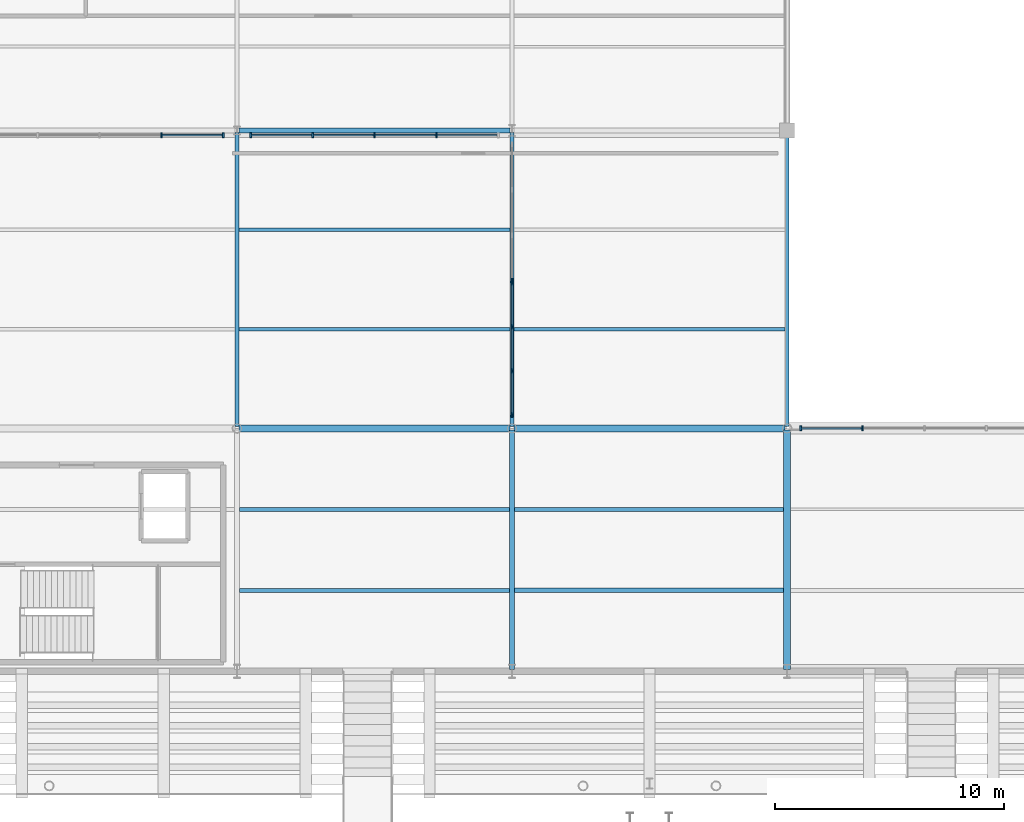
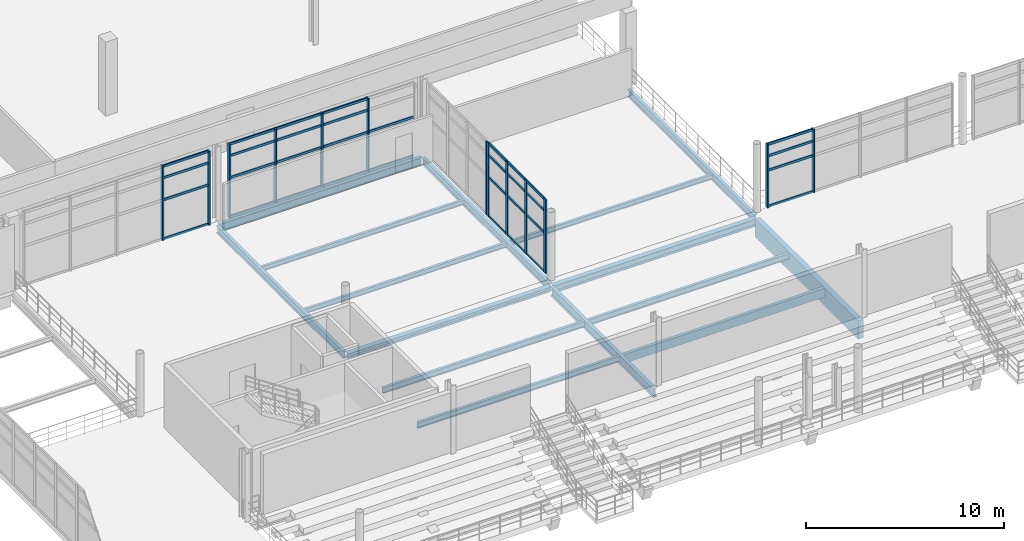
# One storey, part 38 of 89: 47 members, 15 beams, 5 elements without a shape of their own.
"""IFC4 building model written with IfcOpenShell, lengths in metres."""

import ifcopenshell
import ifcopenshell.guid

model = None  # the IFC model being written
_history = None  # IfcOwnerHistory: only IFC2X3 demands one
_inside = {}  # id of a spatial element -> (the spatial element, [elements in it])
_under = {}  # id of a project, library or spatial element -> (it, [spatial elements below it])
_declared = {}  # id of a project -> (the project, [libraries it declares])
_typed = {}  # id of a type object -> (the type object, [elements of that type])
_made_of = {}  # id of a material, layer set ... -> (it, [elements and type objects made of it])


def new_model(schema):
    """Start an empty IFC model of exactly this schema.

    Asked for "IFC4X3", IfcOpenShell would pick the latest addendum, in which some entities
    have other attributes; the version numbers below select the first issue.
    IFC2X3 requires an IfcOwnerHistory on every rooted entity: one is made here for all.
    """
    global model, _history
    if schema == "IFC4X3":
        model = ifcopenshell.file(schema_version=(4, 3, 0, 0))
    else:
        model = ifcopenshell.file(schema=schema)
    _inside.clear()
    _under.clear()
    _declared.clear()
    _typed.clear()
    _made_of.clear()
    _history = None
    if model.schema == "IFC2X3":
        org = make("IfcOrganization", Name="unknown")
        user = make(
            "IfcPersonAndOrganization",
            ThePerson=make("IfcPerson", FamilyName="unknown"),
            TheOrganization=org,
        )
        app = make(
            "IfcApplication",
            ApplicationDeveloper=org,
            Version="unknown",
            ApplicationFullName="unknown",
            ApplicationIdentifier="unknown",
        )
        _history = make(
            "IfcOwnerHistory",
            OwningUser=user,
            OwningApplication=app,
            ChangeAction="ADDED",
            CreationDate=0,
        )
    return model


def make(cls, **values):
    """One entity of the class cls with the attributes given. An attribute that is None is left unset."""
    return model.create_entity(
        cls, **{name: value for name, value in values.items() if value is not None}
    )


def rooted(cls, **values):
    """An entity with a GlobalId (a new one), such as an element, a storey or a relation."""
    return make(cls, GlobalId=ifcopenshell.guid.new(), OwnerHistory=_history, **values)


def si_unit(unit_type, name, prefix=None):
    """IfcSIUnit, for example si_unit("LENGTHUNIT", "METRE", prefix="MILLI")."""
    return make("IfcSIUnit", UnitType=unit_type, Prefix=prefix, Name=name)


def assignment(units):
    """IfcUnitAssignment: the units of a project."""
    return None if units is None else make("IfcUnitAssignment", Units=units)


def point(xyz):
    """IfcCartesianPoint."""
    return None if xyz is None else make("IfcCartesianPoint", Coordinates=xyz)


def direction(xyz):
    """IfcDirection."""
    return None if xyz is None else make("IfcDirection", DirectionRatios=xyz)


def frame(location, z_axis=None, x_axis=None):
    """IfcAxis2Placement3D, a coordinate frame: its origin and axes. An axis left out is left unset."""
    return make(
        "IfcAxis2Placement3D",
        Location=point(location),
        Axis=direction(z_axis),
        RefDirection=direction(x_axis),
    )


def frame_2d(location, x_axis=None):
    """IfcAxis2Placement2D, a coordinate frame in the plane: its origin and x axis."""
    return make(
        "IfcAxis2Placement2D", Location=point(location), RefDirection=direction(x_axis)
    )


def origin():
    """The frame at (0, 0, 0) with its axes left unset."""
    return frame((0.0, 0.0, 0.0))


def origin_2d():
    """The frame at (0, 0) in the plane with its x axis left unset."""
    return frame_2d((0.0, 0.0))


def place(relative_to, where):
    """IfcLocalPlacement: puts the frame where relative to a parent placement (None: the world)."""
    return make(
        "IfcLocalPlacement", PlacementRelTo=relative_to, RelativePlacement=where
    )


def context(
    kind, dimensions, precision=None, world=None, true_north=None, identifier=None
):
    """IfcGeometricRepresentationContext, for example the 3D "Model" context."""
    return make(
        "IfcGeometricRepresentationContext",
        ContextIdentifier=identifier,
        ContextType=kind,
        CoordinateSpaceDimension=dimensions,
        Precision=precision,
        WorldCoordinateSystem=world,
        TrueNorth=true_north,
    )


def subcontext(parent, identifier, kind, view, scale=None):
    """IfcGeometricRepresentationSubContext, for example "Body" below "Model"."""
    return make(
        "IfcGeometricRepresentationSubContext",
        ContextIdentifier=identifier,
        ContextType=kind,
        ParentContext=parent,
        TargetScale=scale,
        TargetView=view,
    )


def project(units=None, contexts=None):
    """IfcProject with its units and contexts."""
    return rooted(
        "IfcProject",
        Name="project",
        RepresentationContexts=contexts,
        UnitsInContext=assignment(units),
    )


def spatial(cls, under=None, at=None, **own):
    """A site, building, storey or space (cls), placed at a placement, below another one or the project."""
    s = rooted(cls, ObjectPlacement=at, **own)
    if under is not None:
        _under.setdefault(under.id(), (under, []))[1].append(s)
    return s


def profile(cls, at=None, kind="AREA", **sizes):
    """A parametric profile (cls). Its sizes go by their IFC names, for example OverallWidth=200.0."""
    return make(cls, ProfileType=kind, Position=at, **sizes)


def rectangle(**sizes):
    """IfcRectangleProfileDef."""
    return profile("IfcRectangleProfileDef", **sizes)


def i_section(**sizes):
    """IfcIShapeProfileDef."""
    return profile("IfcIShapeProfileDef", **sizes)


def extrude(swept, where, along, depth):
    """IfcExtrudedAreaSolid: the profile swept, set in the frame where, extruded along a direction by depth."""
    return make(
        "IfcExtrudedAreaSolid",
        SweptArea=swept,
        Position=where,
        ExtrudedDirection=direction(along),
        Depth=depth,
    )


def shape(context_of_items, identifier, shape_type, items):
    """IfcShapeRepresentation: the items that make up one representation, for example the "Body"."""
    return make(
        "IfcShapeRepresentation",
        ContextOfItems=context_of_items,
        RepresentationIdentifier=identifier,
        RepresentationType=shape_type,
        Items=items,
    )


def material(Name=None, Category=None):
    """IfcMaterial."""
    return make("IfcMaterial", Name=Name, Category=Category)


def material_profile(
    of_material, cross_section, Name=None, Category=None, Priority=None
):
    """IfcMaterialProfile: a cross section and its material."""
    return make(
        "IfcMaterialProfile",
        Name=Name,
        Material=of_material,
        Profile=cross_section,
        Priority=Priority,
        Category=Category,
    )


def profile_set(profiles, Name=None, composite=None):
    """IfcMaterialProfileSet."""
    return make(
        "IfcMaterialProfileSet",
        Name=Name,
        MaterialProfiles=profiles,
        CompositeProfile=composite,
    )


def made_of(thing, what):
    """Note that an element or type object is made of a material, layer set ...; save() writes the relation."""
    if what is not None:
        _made_of.setdefault(what.id(), (what, []))[1].append(thing)
    return thing


def type_object(cls, material=None, **own):
    """A type object (cls), such as IfcWallType, which elements share."""
    return made_of(rooted(cls, **own), material)


def element(
    cls,
    number,
    at=None,
    inside=None,
    cuts=None,
    type_object=None,
    material=None,
    context=None,
    identifier="Body",
    shape_type=None,
    held_by="IfcProductDefinitionShape",
    body=None,
    shapes=None,
    **own,
):
    """One element of the class cls, such as IfcWall. Its Tag is "e" and its number.

    at: its placement. inside: the storey or other place that contains it. cuts: it is an
    opening in that element (IfcRelVoidsElement). A single representation is given by context,
    identifier, shape_type and body (its items); several are given by shapes. held_by: the class
    of the entity that holds the representations. save() writes the other relations.
    """
    e = rooted(cls, Tag="e%d" % number, ObjectPlacement=at, **own)
    if body is not None:
        shapes = [shape(context, identifier, shape_type, body)]
    if shapes is not None:
        e.Representation = make(held_by, Representations=shapes)
    if inside is not None:
        _inside.setdefault(inside.id(), (inside, []))[1].append(e)
    if cuts is not None:
        rooted(
            "IfcRelVoidsElement", RelatingBuildingElement=cuts, RelatedOpeningElement=e
        )
    if type_object is not None:
        _typed.setdefault(type_object.id(), (type_object, []))[1].append(e)
    return made_of(e, material)


def aggregate(whole, parts):
    """IfcRelAggregates: a whole, such as a stair, and the parts it consists of."""
    return rooted("IfcRelAggregates", RelatingObject=whole, RelatedObjects=parts)


def save(model, path):
    """Write the relations noted so far, then the file.

    IfcRelAggregates (storeys below a building ...), IfcRelContainedInSpatialStructure (elements
    in a storey), IfcRelDefinesByType, IfcRelAssociatesMaterial and IfcRelDeclares: one each for
    every whole, place, type object, material and project.
    """
    for whole, parts in _under.values():
        aggregate(whole, parts)
    for where, things in _inside.values():
        rooted(
            "IfcRelContainedInSpatialStructure",
            RelatedElements=things,
            RelatingStructure=where,
        )
    for kind, things in _typed.values():
        rooted("IfcRelDefinesByType", RelatedObjects=things, RelatingType=kind)
    for what, things in _made_of.values():
        rooted("IfcRelAssociatesMaterial", RelatedObjects=things, RelatingMaterial=what)
    for by, libraries in _declared.values():
        rooted("IfcRelDeclares", RelatingContext=by, RelatedDefinitions=libraries)
    model.write(path)


model = new_model("IFC4")

# Units and contexts
model_context = context("Model", 3, precision=1e-05, world=origin(), true_north=direction((0.0, 1.0)))
body_context = subcontext(model_context, "Body", "Model", "MODEL_VIEW")
ifc_project = project(units=[si_unit("LENGTHUNIT", "METRE"), si_unit("AREAUNIT", "SQUARE_METRE"), si_unit("VOLUMEUNIT", "CUBIC_METRE"), si_unit("PLANEANGLEUNIT", "RADIAN"), si_unit("MASSUNIT", "GRAM", prefix="KILO"), si_unit("THERMODYNAMICTEMPERATUREUNIT", "KELVIN"), si_unit("POWERUNIT", "WATT")], contexts=[model_context])

# Site, building, storey
site_placement = place(None, origin())
site = spatial("IfcSite", under=ifc_project, at=site_placement, CompositionType="ELEMENT")
building_placement = place(site_placement, origin())
building = spatial("IfcBuilding", under=site, at=building_placement, Name="Solmara Park Aquatics Centre", CompositionType="ELEMENT")
storey_placement = place(building_placement, frame((0.0, 0.0, 5.39990234375)))
storey = spatial("IfcBuildingStorey", under=building, at=storey_placement, Name="L01", CompositionType="ELEMENT", Elevation=5.39990234375)

# Curtain wall, members
ifc_material_1 = material(Name="Anodised Aluminium Curtain Wall Framing", Category="aluminium")
curtain_wall_type = type_object("IfcCurtainWallType", Name="ARC-CW-SYS05", PredefinedType="USERDEFINED", material=ifc_material_1)
curtain_wall_1_placement = place(storey_placement, origin())
curtain_wall_1 = element("IfcCurtainWall", 1, at=curtain_wall_1_placement, inside=storey, type_object=curtain_wall_type, Name="Curtain Wall CW-022", ObjectType="CURTAIN WALL", PredefinedType="USERDEFINED")
ifc_material_2 = material(Name="Anodised Aluminium Alloy 6063-T6", Category="aluminium")
ifc_material_profile_1 = material_profile(ifc_material_2, rectangle(XDim=0.074951171875, YDim=0.219970703125, at=origin_2d()), Name="ALU MULLION 75x220")
ifc_profile_set_1 = profile_set([ifc_material_profile_1], Name="Anodised Aluminium Alloy 6063-T6")
member_type_1 = type_object("IfcMemberType", Name="ARC-CWM-75x220", PredefinedType="MULLION", material=ifc_profile_set_1)
member_1_placement = place(storey_placement, frame((61.199951171875, 72.60009765625, 0.0), z_axis=(0.0, 0.0, 1.0), x_axis=(1.0, 0.0, 0.0)))
member_1 = element("IfcMember", 2, at=member_1_placement, type_object=member_type_1, Name="CW-022 mullion 1", PredefinedType="MULLION", context=body_context, shape_type="SweptSolid", body=[
    extrude(rectangle(XDim=0.074951171875, YDim=0.219970703125, at=origin_2d()), origin(), (0.0, 0.0, 1.0), 3.900146484375),
])
member_2_placement = place(storey_placement, frame((63.89990234375, 72.60009765625, 0.0), z_axis=(0.0, 0.0, 1.0), x_axis=(1.0, 0.0, 0.0)))
member_2 = element("IfcMember", 3, at=member_2_placement, type_object=member_type_1, Name="CW-022 mullion 2", PredefinedType="MULLION", context=body_context, shape_type="SweptSolid", body=[
    extrude(rectangle(XDim=0.074951171875, YDim=0.219970703125, at=origin_2d()), origin(), (0.0, 0.0, 1.0), 3.900146484375),
])

curtain_wall_2_placement = place(storey_placement, origin())
curtain_wall_2 = element("IfcCurtainWall", 4, at=curtain_wall_2_placement, inside=storey, type_object=curtain_wall_type, Name="Curtain Wall CW-098", ObjectType="CURTAIN WALL", PredefinedType="USERDEFINED")
member_3_placement = place(storey_placement, frame((48.60009765625, 73.199951171875, 0.0), z_axis=(0.0, 0.0, 1.0), x_axis=(1.0, 0.0, 0.0)))
member_3 = element("IfcMember", 5, at=member_3_placement, type_object=member_type_1, Name="CW-098 mullion 1", PredefinedType="MULLION", context=body_context, shape_type="SweptSolid", body=[
    extrude(rectangle(XDim=0.074951171875, YDim=0.219970703125, at=origin_2d()), origin(), (0.0, 0.0, 1.0), 4.56005859375),
])
member_4_placement = place(storey_placement, frame((48.60009765625, 75.1201171875, 0.0), z_axis=(0.0, 0.0, 1.0), x_axis=(1.0, 0.0, 0.0)))
member_4 = element("IfcMember", 6, at=member_4_placement, type_object=member_type_1, Name="CW-098 mullion 2", PredefinedType="MULLION", context=body_context, shape_type="SweptSolid", body=[
    extrude(rectangle(XDim=0.074951171875, YDim=0.219970703125, at=origin_2d()), origin(), (0.0, 0.0, 1.0), 4.56005859375),
])
member_5_placement = place(storey_placement, frame((48.60009765625, 77.0400390625, 0.0), z_axis=(0.0, 0.0, 1.0), x_axis=(1.0, 0.0, 0.0)))
member_5 = element("IfcMember", 7, at=member_5_placement, type_object=member_type_1, Name="CW-098 mullion 3", PredefinedType="MULLION", context=body_context, shape_type="SweptSolid", body=[
    extrude(rectangle(XDim=0.074951171875, YDim=0.219970703125, at=origin_2d()), origin(), (0.0, 0.0, 1.0), 4.56005859375),
])
member_6_placement = place(storey_placement, frame((48.60009765625, 78.9599609375, 0.0), z_axis=(0.0, 0.0, 1.0), x_axis=(1.0, 0.0, 0.0)))
member_6 = element("IfcMember", 8, at=member_6_placement, type_object=member_type_1, Name="CW-098 mullion 4", PredefinedType="MULLION", context=body_context, shape_type="SweptSolid", body=[
    extrude(rectangle(XDim=0.074951171875, YDim=0.219970703125, at=origin_2d()), origin(), (0.0, 0.0, 1.0), 4.56005859375),
])

# Curtain wall, member
curtain_wall_3_placement = place(storey_placement, origin())
curtain_wall_3 = element("IfcCurtainWall", 9, at=curtain_wall_3_placement, inside=storey, type_object=curtain_wall_type, Name="Curtain Wall CW-102", ObjectType="CURTAIN WALL", PredefinedType="USERDEFINED")
member_7_placement = place(storey_placement, frame((48.60009765625, 79.0400390625, 0.0), z_axis=(0.0, 0.0, 1.0), x_axis=(1.0, 0.0, 0.0)))
member_7 = element("IfcMember", 10, at=member_7_placement, type_object=member_type_1, Name="CW-102 mullion 1", PredefinedType="MULLION", context=body_context, shape_type="SweptSolid", body=[
    extrude(rectangle(XDim=0.074951171875, YDim=0.219970703125, at=origin_2d()), origin(), (0.0, 0.0, 1.0), 4.56005859375),
])
aggregate(curtain_wall_3, [member_7])

# Curtain wall, members
curtain_wall_4_placement = place(storey_placement, origin())
curtain_wall_4 = element("IfcCurtainWall", 11, at=curtain_wall_4_placement, inside=storey, type_object=curtain_wall_type, Name="Curtain Wall CW-105", ObjectType="CURTAIN WALL", PredefinedType="USERDEFINED")
member_8_placement = place(storey_placement, frame((33.300048828125, 85.39990234375, 0.0), z_axis=(0.0, 0.0, 1.0), x_axis=(1.0, 0.0, 0.0)))
member_8 = element("IfcMember", 12, at=member_8_placement, type_object=member_type_1, Name="CW-105 mullion 4", PredefinedType="MULLION", context=body_context, shape_type="SweptSolid", body=[
    extrude(rectangle(XDim=0.074951171875, YDim=0.219970703125, at=origin_2d()), origin(), (0.0, 0.0, 1.0), 4.56005859375),
])
member_9_placement = place(storey_placement, frame((36.0, 85.39990234375, 0.0), z_axis=(0.0, 0.0, 1.0), x_axis=(1.0, 0.0, 0.0)))
member_9 = element("IfcMember", 13, at=member_9_placement, type_object=member_type_1, Name="CW-105 mullion 5", PredefinedType="MULLION", context=body_context, shape_type="SweptSolid", body=[
    extrude(rectangle(XDim=0.074951171875, YDim=0.219970703125, at=origin_2d()), origin(), (0.0, 0.0, 1.0), 4.56005859375),
])

curtain_wall_5_placement = place(storey_placement, origin())
curtain_wall_5 = element("IfcCurtainWall", 14, at=curtain_wall_5_placement, inside=storey, type_object=curtain_wall_type, Name="Curtain Wall CW-106", ObjectType="CURTAIN WALL", PredefinedType="USERDEFINED")
member_10_placement = place(storey_placement, frame((37.199951171875, 85.39990234375, 0.0), z_axis=(0.0, 0.0, 1.0), x_axis=(1.0, 0.0, 0.0)))
member_10 = element("IfcMember", 15, at=member_10_placement, type_object=member_type_1, Name="CW-106 mullion 1", PredefinedType="MULLION", context=body_context, shape_type="SweptSolid", body=[
    extrude(rectangle(XDim=0.074951171875, YDim=0.219970703125, at=origin_2d()), origin(), (0.0, 0.0, 1.0), 4.56005859375),
])
member_11_placement = place(storey_placement, frame((39.89990234375, 85.39990234375, 0.0), z_axis=(0.0, 0.0, 1.0), x_axis=(1.0, 0.0, 0.0)))
member_11 = element("IfcMember", 16, at=member_11_placement, type_object=member_type_1, Name="CW-106 mullion 2", PredefinedType="MULLION", context=body_context, shape_type="SweptSolid", body=[
    extrude(rectangle(XDim=0.074951171875, YDim=0.219970703125, at=origin_2d()), origin(), (0.0, 0.0, 1.0), 4.56005859375),
])
member_12_placement = place(storey_placement, frame((42.60009765625, 85.39990234375, 0.0), z_axis=(0.0, 0.0, 1.0), x_axis=(1.0, 0.0, 0.0)))
member_12 = element("IfcMember", 17, at=member_12_placement, type_object=member_type_1, Name="CW-106 mullion 3", PredefinedType="MULLION", context=body_context, shape_type="SweptSolid", body=[
    extrude(rectangle(XDim=0.074951171875, YDim=0.219970703125, at=origin_2d()), origin(), (0.0, 0.0, 1.0), 4.56005859375),
])
member_13_placement = place(storey_placement, frame((45.300048828125, 85.39990234375, 0.0), z_axis=(0.0, 0.0, 1.0), x_axis=(1.0, 0.0, 0.0)))
member_13 = element("IfcMember", 18, at=member_13_placement, type_object=member_type_1, Name="CW-106 mullion 4", PredefinedType="MULLION", context=body_context, shape_type="SweptSolid", body=[
    extrude(rectangle(XDim=0.074951171875, YDim=0.219970703125, at=origin_2d()), origin(), (0.0, 0.0, 1.0), 4.56005859375),
])

# Member
ifc_material_profile_2 = material_profile(ifc_material_2, rectangle(XDim=0.074951171875, YDim=0.14990234375, at=origin_2d()), Name="ALU TRANSOM 75x150")
ifc_profile_set_2 = profile_set([ifc_material_profile_2], Name="Anodised Aluminium Alloy 6063-T6")
member_type_2 = type_object("IfcMemberType", Name="ARC-CWT-75x150", PredefinedType="USERDEFINED", material=ifc_profile_set_2)
member_14_placement = place(storey_placement, frame((61.219970703125, 72.60009765625, 0.0400390625), z_axis=(1.0, 0.0, 0.0), x_axis=(0.0, 1.0, 0.0)))
member_14 = element("IfcMember", 19, at=member_14_placement, type_object=member_type_2, Name="CW-022 transom 1", ObjectType="TRANSOM", PredefinedType="USERDEFINED", context=body_context, shape_type="SweptSolid", body=[
    extrude(rectangle(XDim=0.074951171875, YDim=0.14990234375, at=origin_2d()), origin(), (0.0, 0.0, 1.0), 2.6201171875),
])

member_15_placement = place(storey_placement, frame((61.219970703125, 72.60009765625, 2.26220703125), z_axis=(1.0, 0.0, 0.0), x_axis=(0.0, 1.0, 0.0)))
member_15 = element("IfcMember", 20, at=member_15_placement, type_object=member_type_2, Name="CW-022 transom 2", ObjectType="TRANSOM", PredefinedType="USERDEFINED", context=body_context, shape_type="SweptSolid", body=[
    extrude(rectangle(XDim=0.074951171875, YDim=0.14990234375, at=origin_2d()), origin(), (0.0, 0.0, 1.0), 2.6201171875),
])

member_16_placement = place(storey_placement, frame((61.219970703125, 72.60009765625, 3.150146484375), z_axis=(1.0, 0.0, 0.0), x_axis=(0.0, 1.0, 0.0)))
member_16 = element("IfcMember", 21, at=member_16_placement, type_object=member_type_2, Name="CW-022 transom 3", ObjectType="TRANSOM", PredefinedType="USERDEFINED", context=body_context, shape_type="SweptSolid", body=[
    extrude(rectangle(XDim=0.074951171875, YDim=0.14990234375, at=origin_2d()), origin(), (0.0, 0.0, 1.0), 2.6201171875),
])

member_17_placement = place(storey_placement, frame((61.219970703125, 72.60009765625, 3.860107421875), z_axis=(1.0, 0.0, 0.0), x_axis=(0.0, 1.0, 0.0)))
member_17 = element("IfcMember", 22, at=member_17_placement, type_object=member_type_2, Name="CW-022 transom 4", ObjectType="TRANSOM", PredefinedType="USERDEFINED", context=body_context, shape_type="SweptSolid", body=[
    extrude(rectangle(XDim=0.074951171875, YDim=0.14990234375, at=origin_2d()), origin(), (0.0, 0.0, 1.0), 2.6201171875),
])

aggregate(curtain_wall_1, [member_1, member_2, member_14, member_15, member_16, member_17])

member_18_placement = place(storey_placement, frame((48.60009765625, 73.219970703125, 0.0400390625), z_axis=(0.0, 1.0, 0.0), x_axis=(-1.0, 0.0, 0.0)))
member_18 = element("IfcMember", 23, at=member_18_placement, type_object=member_type_2, Name="CW-098 transom 1", ObjectType="TRANSOM", PredefinedType="USERDEFINED", context=body_context, shape_type="SweptSolid", body=[
    extrude(rectangle(XDim=0.074951171875, YDim=0.14990234375, at=origin_2d()), origin(), (0.0, 0.0, 1.0), 1.840087890625),
])

member_19_placement = place(storey_placement, frame((48.60009765625, 73.219970703125, 2.4501953125), z_axis=(0.0, 1.0, 0.0), x_axis=(-1.0, 0.0, 0.0)))
member_19 = element("IfcMember", 24, at=member_19_placement, type_object=member_type_2, Name="CW-098 transom 2", ObjectType="TRANSOM", PredefinedType="USERDEFINED", context=body_context, shape_type="SweptSolid", body=[
    extrude(rectangle(XDim=0.074951171875, YDim=0.14990234375, at=origin_2d()), origin(), (0.0, 0.0, 1.0), 1.840087890625),
])

member_20_placement = place(storey_placement, frame((48.60009765625, 73.219970703125, 3.81005859375), z_axis=(0.0, 1.0, 0.0), x_axis=(-1.0, 0.0, 0.0)))
member_20 = element("IfcMember", 25, at=member_20_placement, type_object=member_type_2, Name="CW-098 transom 3", ObjectType="TRANSOM", PredefinedType="USERDEFINED", context=body_context, shape_type="SweptSolid", body=[
    extrude(rectangle(XDim=0.074951171875, YDim=0.14990234375, at=origin_2d()), origin(), (0.0, 0.0, 1.0), 1.840087890625),
])

member_21_placement = place(storey_placement, frame((48.60009765625, 73.219970703125, 4.52001953125), z_axis=(0.0, 1.0, 0.0), x_axis=(-1.0, 0.0, 0.0)))
member_21 = element("IfcMember", 26, at=member_21_placement, type_object=member_type_2, Name="CW-098 transom 4", ObjectType="TRANSOM", PredefinedType="USERDEFINED", context=body_context, shape_type="SweptSolid", body=[
    extrude(rectangle(XDim=0.074951171875, YDim=0.14990234375, at=origin_2d()), origin(), (0.0, 0.0, 1.0), 1.840087890625),
])

member_22_placement = place(storey_placement, frame((48.60009765625, 75.139892578125, 0.0400390625), z_axis=(0.0, 1.0, 0.0), x_axis=(-1.0, 0.0, 0.0)))
member_22 = element("IfcMember", 27, at=member_22_placement, type_object=member_type_2, Name="CW-098 transom 5", ObjectType="TRANSOM", PredefinedType="USERDEFINED", context=body_context, shape_type="SweptSolid", body=[
    extrude(rectangle(XDim=0.074951171875, YDim=0.14990234375, at=origin_2d()), origin(), (0.0, 0.0, 1.0), 1.840087890625),
])

member_23_placement = place(storey_placement, frame((48.60009765625, 75.139892578125, 2.4501953125), z_axis=(0.0, 1.0, 0.0), x_axis=(-1.0, 0.0, 0.0)))
member_23 = element("IfcMember", 28, at=member_23_placement, type_object=member_type_2, Name="CW-098 transom 6", ObjectType="TRANSOM", PredefinedType="USERDEFINED", context=body_context, shape_type="SweptSolid", body=[
    extrude(rectangle(XDim=0.074951171875, YDim=0.14990234375, at=origin_2d()), origin(), (0.0, 0.0, 1.0), 1.840087890625),
])

member_24_placement = place(storey_placement, frame((48.60009765625, 75.139892578125, 3.81005859375), z_axis=(0.0, 1.0, 0.0), x_axis=(-1.0, 0.0, 0.0)))
member_24 = element("IfcMember", 29, at=member_24_placement, type_object=member_type_2, Name="CW-098 transom 7", ObjectType="TRANSOM", PredefinedType="USERDEFINED", context=body_context, shape_type="SweptSolid", body=[
    extrude(rectangle(XDim=0.074951171875, YDim=0.14990234375, at=origin_2d()), origin(), (0.0, 0.0, 1.0), 1.840087890625),
])

member_25_placement = place(storey_placement, frame((48.60009765625, 75.139892578125, 4.52001953125), z_axis=(0.0, 1.0, 0.0), x_axis=(-1.0, 0.0, 0.0)))
member_25 = element("IfcMember", 30, at=member_25_placement, type_object=member_type_2, Name="CW-098 transom 8", ObjectType="TRANSOM", PredefinedType="USERDEFINED", context=body_context, shape_type="SweptSolid", body=[
    extrude(rectangle(XDim=0.074951171875, YDim=0.14990234375, at=origin_2d()), origin(), (0.0, 0.0, 1.0), 1.840087890625),
])

member_26_placement = place(storey_placement, frame((48.60009765625, 77.06005859375, 0.0400390625), z_axis=(0.0, 1.0, 0.0), x_axis=(-1.0, 0.0, 0.0)))
member_26 = element("IfcMember", 31, at=member_26_placement, type_object=member_type_2, Name="CW-098 transom 9", ObjectType="TRANSOM", PredefinedType="USERDEFINED", context=body_context, shape_type="SweptSolid", body=[
    extrude(rectangle(XDim=0.074951171875, YDim=0.14990234375, at=origin_2d()), origin(), (0.0, 0.0, 1.0), 1.83984375),
])

member_27_placement = place(storey_placement, frame((48.60009765625, 77.06005859375, 2.4501953125), z_axis=(0.0, 1.0, 0.0), x_axis=(-1.0, 0.0, 0.0)))
member_27 = element("IfcMember", 32, at=member_27_placement, type_object=member_type_2, Name="CW-098 transom 10", ObjectType="TRANSOM", PredefinedType="USERDEFINED", context=body_context, shape_type="SweptSolid", body=[
    extrude(rectangle(XDim=0.074951171875, YDim=0.14990234375, at=origin_2d()), origin(), (0.0, 0.0, 1.0), 1.83984375),
])

member_28_placement = place(storey_placement, frame((48.60009765625, 77.06005859375, 3.81005859375), z_axis=(0.0, 1.0, 0.0), x_axis=(-1.0, 0.0, 0.0)))
member_28 = element("IfcMember", 33, at=member_28_placement, type_object=member_type_2, Name="CW-098 transom 11", ObjectType="TRANSOM", PredefinedType="USERDEFINED", context=body_context, shape_type="SweptSolid", body=[
    extrude(rectangle(XDim=0.074951171875, YDim=0.14990234375, at=origin_2d()), origin(), (0.0, 0.0, 1.0), 1.83984375),
])

member_29_placement = place(storey_placement, frame((48.60009765625, 77.06005859375, 4.52001953125), z_axis=(0.0, 1.0, 0.0), x_axis=(-1.0, 0.0, 0.0)))
member_29 = element("IfcMember", 34, at=member_29_placement, type_object=member_type_2, Name="CW-098 transom 12", ObjectType="TRANSOM", PredefinedType="USERDEFINED", context=body_context, shape_type="SweptSolid", body=[
    extrude(rectangle(XDim=0.074951171875, YDim=0.14990234375, at=origin_2d()), origin(), (0.0, 0.0, 1.0), 1.83984375),
])

aggregate(curtain_wall_2, [member_3, member_4, member_5, member_6, member_18, member_19, member_20, member_21, member_22, member_23, member_24, member_25, member_26, member_27, member_28, member_29])

member_30_placement = place(storey_placement, frame((33.320068359375, 85.39990234375, 0.0400390625), z_axis=(1.0, 0.0, 0.0), x_axis=(0.0, 1.0, 0.0)))
member_30 = element("IfcMember", 35, at=member_30_placement, type_object=member_type_2, Name="CW-105 transom 13", ObjectType="TRANSOM", PredefinedType="USERDEFINED", context=body_context, shape_type="SweptSolid", body=[
    extrude(rectangle(XDim=0.074951171875, YDim=0.14990234375, at=origin_2d()), origin(), (0.0, 0.0, 1.0), 2.619873046875),
])

member_31_placement = place(storey_placement, frame((33.320068359375, 85.39990234375, 2.4501953125), z_axis=(1.0, 0.0, 0.0), x_axis=(0.0, 1.0, 0.0)))
member_31 = element("IfcMember", 36, at=member_31_placement, type_object=member_type_2, Name="CW-105 transom 14", ObjectType="TRANSOM", PredefinedType="USERDEFINED", context=body_context, shape_type="SweptSolid", body=[
    extrude(rectangle(XDim=0.074951171875, YDim=0.14990234375, at=origin_2d()), origin(), (0.0, 0.0, 1.0), 2.619873046875),
])

member_32_placement = place(storey_placement, frame((33.320068359375, 85.39990234375, 3.81005859375), z_axis=(1.0, 0.0, 0.0), x_axis=(0.0, 1.0, 0.0)))
member_32 = element("IfcMember", 37, at=member_32_placement, type_object=member_type_2, Name="CW-105 transom 15", ObjectType="TRANSOM", PredefinedType="USERDEFINED", context=body_context, shape_type="SweptSolid", body=[
    extrude(rectangle(XDim=0.074951171875, YDim=0.14990234375, at=origin_2d()), origin(), (0.0, 0.0, 1.0), 2.619873046875),
])

member_33_placement = place(storey_placement, frame((33.320068359375, 85.39990234375, 4.52001953125), z_axis=(1.0, 0.0, 0.0), x_axis=(0.0, 1.0, 0.0)))
member_33 = element("IfcMember", 38, at=member_33_placement, type_object=member_type_2, Name="CW-105 transom 16", ObjectType="TRANSOM", PredefinedType="USERDEFINED", context=body_context, shape_type="SweptSolid", body=[
    extrude(rectangle(XDim=0.074951171875, YDim=0.14990234375, at=origin_2d()), origin(), (0.0, 0.0, 1.0), 2.619873046875),
])

aggregate(curtain_wall_4, [member_8, member_9, member_30, member_31, member_32, member_33])

member_34_placement = place(storey_placement, frame((37.219970703125, 85.39990234375, 0.0400390625), z_axis=(1.0, 0.0, 0.0), x_axis=(0.0, 1.0, 0.0)))
member_34 = element("IfcMember", 39, at=member_34_placement, type_object=member_type_2, Name="CW-106 transom 1", ObjectType="TRANSOM", PredefinedType="USERDEFINED", context=body_context, shape_type="SweptSolid", body=[
    extrude(rectangle(XDim=0.074951171875, YDim=0.14990234375, at=origin_2d()), origin(), (0.0, 0.0, 1.0), 2.6201171875),
])

member_35_placement = place(storey_placement, frame((37.219970703125, 85.39990234375, 2.4501953125), z_axis=(1.0, 0.0, 0.0), x_axis=(0.0, 1.0, 0.0)))
member_35 = element("IfcMember", 40, at=member_35_placement, type_object=member_type_2, Name="CW-106 transom 2", ObjectType="TRANSOM", PredefinedType="USERDEFINED", context=body_context, shape_type="SweptSolid", body=[
    extrude(rectangle(XDim=0.074951171875, YDim=0.14990234375, at=origin_2d()), origin(), (0.0, 0.0, 1.0), 2.6201171875),
])

member_36_placement = place(storey_placement, frame((37.219970703125, 85.39990234375, 3.81005859375), z_axis=(1.0, 0.0, 0.0), x_axis=(0.0, 1.0, 0.0)))
member_36 = element("IfcMember", 41, at=member_36_placement, type_object=member_type_2, Name="CW-106 transom 3", ObjectType="TRANSOM", PredefinedType="USERDEFINED", context=body_context, shape_type="SweptSolid", body=[
    extrude(rectangle(XDim=0.074951171875, YDim=0.14990234375, at=origin_2d()), origin(), (0.0, 0.0, 1.0), 2.6201171875),
])

member_37_placement = place(storey_placement, frame((37.219970703125, 85.39990234375, 4.52001953125), z_axis=(1.0, 0.0, 0.0), x_axis=(0.0, 1.0, 0.0)))
member_37 = element("IfcMember", 42, at=member_37_placement, type_object=member_type_2, Name="CW-106 transom 4", ObjectType="TRANSOM", PredefinedType="USERDEFINED", context=body_context, shape_type="SweptSolid", body=[
    extrude(rectangle(XDim=0.074951171875, YDim=0.14990234375, at=origin_2d()), origin(), (0.0, 0.0, 1.0), 2.6201171875),
])

member_38_placement = place(storey_placement, frame((39.919921875, 85.39990234375, 0.0400390625), z_axis=(1.0, 0.0, 0.0), x_axis=(0.0, 1.0, 0.0)))
member_38 = element("IfcMember", 43, at=member_38_placement, type_object=member_type_2, Name="CW-106 transom 5", ObjectType="TRANSOM", PredefinedType="USERDEFINED", context=body_context, shape_type="SweptSolid", body=[
    extrude(rectangle(XDim=0.074951171875, YDim=0.14990234375, at=origin_2d()), origin(), (0.0, 0.0, 1.0), 2.6201171875),
])

member_39_placement = place(storey_placement, frame((39.919921875, 85.39990234375, 2.4501953125), z_axis=(1.0, 0.0, 0.0), x_axis=(0.0, 1.0, 0.0)))
member_39 = element("IfcMember", 44, at=member_39_placement, type_object=member_type_2, Name="CW-106 transom 6", ObjectType="TRANSOM", PredefinedType="USERDEFINED", context=body_context, shape_type="SweptSolid", body=[
    extrude(rectangle(XDim=0.074951171875, YDim=0.14990234375, at=origin_2d()), origin(), (0.0, 0.0, 1.0), 2.6201171875),
])

member_40_placement = place(storey_placement, frame((39.919921875, 85.39990234375, 3.81005859375), z_axis=(1.0, 0.0, 0.0), x_axis=(0.0, 1.0, 0.0)))
member_40 = element("IfcMember", 45, at=member_40_placement, type_object=member_type_2, Name="CW-106 transom 7", ObjectType="TRANSOM", PredefinedType="USERDEFINED", context=body_context, shape_type="SweptSolid", body=[
    extrude(rectangle(XDim=0.074951171875, YDim=0.14990234375, at=origin_2d()), origin(), (0.0, 0.0, 1.0), 2.6201171875),
])

member_41_placement = place(storey_placement, frame((39.919921875, 85.39990234375, 4.52001953125), z_axis=(1.0, 0.0, 0.0), x_axis=(0.0, 1.0, 0.0)))
member_41 = element("IfcMember", 46, at=member_41_placement, type_object=member_type_2, Name="CW-106 transom 8", ObjectType="TRANSOM", PredefinedType="USERDEFINED", context=body_context, shape_type="SweptSolid", body=[
    extrude(rectangle(XDim=0.074951171875, YDim=0.14990234375, at=origin_2d()), origin(), (0.0, 0.0, 1.0), 2.6201171875),
])

member_42_placement = place(storey_placement, frame((42.6201171875, 85.39990234375, 0.0400390625), z_axis=(1.0, 0.0, 0.0), x_axis=(0.0, 1.0, 0.0)))
member_42 = element("IfcMember", 47, at=member_42_placement, type_object=member_type_2, Name="CW-106 transom 9", ObjectType="TRANSOM", PredefinedType="USERDEFINED", context=body_context, shape_type="SweptSolid", body=[
    extrude(rectangle(XDim=0.074951171875, YDim=0.14990234375, at=origin_2d()), origin(), (0.0, 0.0, 1.0), 2.619873046875),
])

member_43_placement = place(storey_placement, frame((42.6201171875, 85.39990234375, 2.4501953125), z_axis=(1.0, 0.0, 0.0), x_axis=(0.0, 1.0, 0.0)))
member_43 = element("IfcMember", 48, at=member_43_placement, type_object=member_type_2, Name="CW-106 transom 10", ObjectType="TRANSOM", PredefinedType="USERDEFINED", context=body_context, shape_type="SweptSolid", body=[
    extrude(rectangle(XDim=0.074951171875, YDim=0.14990234375, at=origin_2d()), origin(), (0.0, 0.0, 1.0), 2.619873046875),
])

member_44_placement = place(storey_placement, frame((42.6201171875, 85.39990234375, 3.81005859375), z_axis=(1.0, 0.0, 0.0), x_axis=(0.0, 1.0, 0.0)))
member_44 = element("IfcMember", 49, at=member_44_placement, type_object=member_type_2, Name="CW-106 transom 11", ObjectType="TRANSOM", PredefinedType="USERDEFINED", context=body_context, shape_type="SweptSolid", body=[
    extrude(rectangle(XDim=0.074951171875, YDim=0.14990234375, at=origin_2d()), origin(), (0.0, 0.0, 1.0), 2.619873046875),
])

member_45_placement = place(storey_placement, frame((42.6201171875, 85.39990234375, 4.52001953125), z_axis=(1.0, 0.0, 0.0), x_axis=(0.0, 1.0, 0.0)))
member_45 = element("IfcMember", 50, at=member_45_placement, type_object=member_type_2, Name="CW-106 transom 12", ObjectType="TRANSOM", PredefinedType="USERDEFINED", context=body_context, shape_type="SweptSolid", body=[
    extrude(rectangle(XDim=0.074951171875, YDim=0.14990234375, at=origin_2d()), origin(), (0.0, 0.0, 1.0), 2.619873046875),
])

member_46_placement = place(storey_placement, frame((45.320068359375, 85.39990234375, 0.0400390625), z_axis=(1.0, 0.0, 0.0), x_axis=(0.0, 1.0, 0.0)))
member_46 = element("IfcMember", 51, at=member_46_placement, type_object=member_type_2, Name="CW-106 transom 13", ObjectType="TRANSOM", PredefinedType="USERDEFINED", context=body_context, shape_type="SweptSolid", body=[
    extrude(rectangle(XDim=0.074951171875, YDim=0.14990234375, at=origin_2d()), origin(), (0.0, 0.0, 1.0), 2.619873046875),
])

member_47_placement = place(storey_placement, frame((45.320068359375, 85.39990234375, 2.4501953125), z_axis=(1.0, 0.0, 0.0), x_axis=(0.0, 1.0, 0.0)))
member_47 = element("IfcMember", 52, at=member_47_placement, type_object=member_type_2, Name="CW-106 transom 14", ObjectType="TRANSOM", PredefinedType="USERDEFINED", context=body_context, shape_type="SweptSolid", body=[
    extrude(rectangle(XDim=0.074951171875, YDim=0.14990234375, at=origin_2d()), origin(), (0.0, 0.0, 1.0), 2.619873046875),
])

aggregate(curtain_wall_5, [member_10, member_11, member_12, member_13, member_34, member_35, member_36, member_37, member_38, member_39, member_40, member_41, member_42, member_43, member_44, member_45, member_46, member_47])

# Beams
ifc_material_3 = material(Name="Glulam Timber GL28h", Category="wood")
ifc_material_profile_3 = material_profile(ifc_material_3, rectangle(XDim=0.300048828125, YDim=1.1201171875, at=origin_2d()), Name="GL28h 300x1120")
ifc_profile_set_3 = profile_set([ifc_material_profile_3], Name="Glulam Timber GL28h")
beam_type_1 = type_object("IfcBeamType", Name="STR-BM-GL300x1120", PredefinedType="BEAM", material=ifc_profile_set_3)
beam_1_placement = place(storey_placement, frame((60.60009765625, 62.080078125, -0.9599609375), z_axis=(0.0, 1.0, 0.0), x_axis=(-1.0, 0.0, 0.0)))
element("IfcBeam", 53, at=beam_1_placement, inside=storey, type_object=beam_type_1, Name="Girder BM-L01-0196", PredefinedType="BEAM", context=body_context, shape_type="SweptSolid", body=[
    extrude(rectangle(XDim=0.300048828125, YDim=1.1201171875, at=origin_2d()), origin(), (0.0, 0.0, 1.0), 10.43994140625),
])
ifc_material_4 = material(Name="Structural Steel S355", Category="steel")
ifc_material_profile_4 = material_profile(ifc_material_4, i_section(OverallWidth=0.300048828125, OverallDepth=0.449951171875, WebThickness=0.013916015625, FlangeThickness=0.02587890625, FilletRadius=0.027099609375, at=origin_2d()), Name="HEB 450")
ifc_profile_set_4 = profile_set([ifc_material_profile_4], Name="Structural Steel S355")
beam_type_2 = type_object("IfcBeamType", Name="STR-BM-HEB450", PredefinedType="BEAM", material=ifc_profile_set_4)
beam_2_placement = place(storey_placement, frame((48.679931640625, 72.60009765625, -0.625), z_axis=(1.0, 0.0, 0.0), x_axis=(0.0, 1.0, 0.0)))
element("IfcBeam", 54, at=beam_2_placement, inside=storey, type_object=beam_type_2, Name="Girder BM-L01-0185", PredefinedType="BEAM", context=body_context, shape_type="SweptSolid", body=[
    extrude(i_section(OverallWidth=0.300048828125, OverallDepth=0.449951171875, WebThickness=0.013916015625, FlangeThickness=0.02587890625, FilletRadius=0.027099609375, at=origin_2d()), origin(), (0.0, 0.0, 1.0), 11.840087890625),
])
ifc_material_profile_5 = material_profile(ifc_material_4, i_section(OverallWidth=0.18994140625, OverallDepth=0.449951171875, WebThickness=0.009521484375, FlangeThickness=0.0146484375, FilletRadius=0.02099609375, at=origin_2d()), Name="IPE 450")
ifc_profile_set_5 = profile_set([ifc_material_profile_5], Name="Structural Steel S355")
beam_type_3 = type_object("IfcBeamType", Name="STR-BM-IPE450", PredefinedType="BEAM", material=ifc_profile_set_5)
for number, where, z_axis, x_axis, name in (
    (55, (36.60009765625, 72.679931640625, -0.544921875), (0.0, 1.0, 0.0), (-1.0, 0.0, 0.0), "Girder BM-L01-0282"),
    (56, (48.60009765625, 72.679931640625, -0.544921875), (0.0, 1.0, 0.0), (-1.0, 0.0, 0.0), "Girder BM-L01-0285"),
    (57, (60.60009765625, 72.679931640625, -0.544921875), (0.0, 1.0, 0.0), (-1.0, 0.0, 0.0), "Girder BM-L01-0288"),
):
    element("IfcBeam", number, at=place(storey_placement, frame(where, z_axis=z_axis, x_axis=x_axis)), inside=storey, type_object=beam_type_3, Name=name, PredefinedType="BEAM", context=body_context, shape_type="SweptSolid", body=[
        extrude(i_section(OverallWidth=0.18994140625, OverallDepth=0.449951171875, WebThickness=0.009521484375, FlangeThickness=0.0146484375, FilletRadius=0.02099609375, at=origin_2d()), origin(), (0.0, 0.0, 1.0), 12.840087890625),
    ])
ifc_material_profile_6 = material_profile(ifc_material_4, i_section(OverallWidth=0.199951171875, OverallDepth=0.5, WebThickness=0.01025390625, FlangeThickness=0.01611328125, FilletRadius=0.02099609375, at=origin_2d()), Name="IPE 500")
ifc_profile_set_6 = profile_set([ifc_material_profile_6], Name="Structural Steel S355")
beam_type_4 = type_object("IfcBeamType", Name="STR-BM-IPE500", PredefinedType="BEAM", material=ifc_profile_set_6)
beam_3_placement = place(storey_placement, frame((36.679931640625, 85.60009765625, -0.56982421875), z_axis=(1.0, 0.0, 0.0), x_axis=(0.0, 1.0, 0.0)))
element("IfcBeam", 58, at=beam_3_placement, inside=storey, type_object=beam_type_4, Name="Girder BM-L01-0266", PredefinedType="BEAM", context=body_context, shape_type="SweptSolid", body=[
    extrude(i_section(OverallWidth=0.199951171875, OverallDepth=0.5, WebThickness=0.01025390625, FlangeThickness=0.01611328125, FilletRadius=0.02099609375, at=origin_2d()), origin(), (0.0, 0.0, 1.0), 11.840087890625),
])
ifc_material_profile_7 = material_profile(ifc_material_4, i_section(OverallWidth=0.2099609375, OverallDepth=0.550048828125, WebThickness=0.010986328125, FlangeThickness=0.01708984375, FilletRadius=0.02392578125, at=origin_2d()), Name="IPE 550")
ifc_profile_set_7 = profile_set([ifc_material_profile_7], Name="Structural Steel S355")
beam_type_5 = type_object("IfcBeamType", Name="STR-BM-IPE550", PredefinedType="BEAM", material=ifc_profile_set_7)
beam_4_placement = place(storey_placement, frame((48.60009765625, 62.080078125, -0.6748046875), z_axis=(0.0, 1.0, 0.0), x_axis=(-1.0, 0.0, 0.0)))
element("IfcBeam", 59, at=beam_4_placement, inside=storey, type_object=beam_type_5, Name="Girder BM-L01-0194", PredefinedType="BEAM", context=body_context, shape_type="SweptSolid", body=[
    extrude(i_section(OverallWidth=0.2099609375, OverallDepth=0.550048828125, WebThickness=0.010986328125, FlangeThickness=0.01708984375, FilletRadius=0.02392578125, at=origin_2d()), origin(), (0.0, 0.0, 1.0), 10.43994140625),
])
ifc_material_profile_8 = material_profile(ifc_material_3, rectangle(XDim=0.199951171875, YDim=0.5400390625, at=origin_2d()), Name="GL28h 200x540")
ifc_profile_set_8 = profile_set([ifc_material_profile_8], Name="Glulam Timber GL28h")
beam_type_6 = type_object("IfcBeamType", Name="STR-JST-GL200x540", PredefinedType="JOIST", material=ifc_profile_set_8)
beam_5_placement = place(storey_placement, frame((48.705078125, 65.533203125, -0.669921875), z_axis=(1.0, 0.0, 0.0), x_axis=(0.0, 1.0, 0.0)))
element("IfcBeam", 60, at=beam_5_placement, inside=storey, type_object=beam_type_6, Name="Floor Joist JST-L01-0114", PredefinedType="JOIST", context=body_context, shape_type="SweptSolid", body=[
    extrude(rectangle(XDim=0.199951171875, YDim=0.5400390625, at=origin_2d()), origin(), (0.0, 0.0, 1.0), 11.744873046875),
])
ifc_material_profile_9 = material_profile(ifc_material_4, i_section(OverallWidth=0.14990234375, OverallDepth=0.300048828125, WebThickness=0.007080078125, FlangeThickness=0.0107421875, FilletRadius=0.014892578125, at=origin_2d()), Name="IPE 300")
ifc_profile_set_9 = profile_set([ifc_material_profile_9], Name="Structural Steel S355")
beam_type_7 = type_object("IfcBeamType", Name="STR-JST-IPE300", PredefinedType="JOIST", material=ifc_profile_set_9)
for number, where, z_axis, x_axis, name in (
    (61, (36.695068359375, 76.933349609375, -0.469970703125), (1.0, 0.0, 0.0), (0.0, 1.0, 0.0), "Floor Joist JST-L01-0171"),
    (62, (36.695068359375, 81.2666015625, -0.469970703125), (1.0, 0.0, 0.0), (0.0, 1.0, 0.0), "Floor Joist JST-L01-0172"),
    (63, (48.695068359375, 76.933349609375, -0.469970703125), (1.0, 0.0, 0.0), (0.0, 1.0, 0.0), "Floor Joist JST-L01-0177"),
):
    element("IfcBeam", number, at=place(storey_placement, frame(where, z_axis=z_axis, x_axis=x_axis)), inside=storey, type_object=beam_type_7, Name=name, PredefinedType="JOIST", context=body_context, shape_type="SweptSolid", body=[
        extrude(i_section(OverallWidth=0.14990234375, OverallDepth=0.300048828125, WebThickness=0.007080078125, FlangeThickness=0.0107421875, FilletRadius=0.014892578125, at=origin_2d()), origin(), (0.0, 0.0, 1.0), 11.809814453125),
    ])
ifc_material_profile_10 = material_profile(ifc_material_4, i_section(OverallWidth=0.169921875, OverallDepth=0.360107421875, WebThickness=0.008056640625, FlangeThickness=0.0126953125, FilletRadius=0.01806640625, at=origin_2d()), Name="IPE 360")
ifc_profile_set_10 = profile_set([ifc_material_profile_10], Name="Structural Steel S355")
beam_type_8 = type_object("IfcBeamType", Name="STR-JST-IPE360", PredefinedType="JOIST", material=ifc_profile_set_10)
for number, where, z_axis, x_axis, name in (
    (64, (36.705078125, 65.533203125, -0.579833984375), (1.0, 0.0, 0.0), (0.0, 1.0, 0.0), "Floor Joist JST-L01-0110"),
    (65, (36.705078125, 69.066650390625, -0.579833984375), (1.0, 0.0, 0.0), (0.0, 1.0, 0.0), "Floor Joist JST-L01-0111"),
):
    element("IfcBeam", number, at=place(storey_placement, frame(where, z_axis=z_axis, x_axis=x_axis)), inside=storey, type_object=beam_type_8, Name=name, PredefinedType="JOIST", context=body_context, shape_type="SweptSolid", body=[
        extrude(i_section(OverallWidth=0.169921875, OverallDepth=0.360107421875, WebThickness=0.008056640625, FlangeThickness=0.0126953125, FilletRadius=0.01806640625, at=origin_2d()), origin(), (0.0, 0.0, 1.0), 11.7900390625),
    ])
beam_6_placement = place(storey_placement, frame((48.705078125, 69.066650390625, -0.579833984375), z_axis=(1.0, 0.0, 0.0), x_axis=(0.0, 1.0, 0.0)))
element("IfcBeam", 66, at=beam_6_placement, inside=storey, type_object=beam_type_8, Name="Floor Joist JST-L01-0115", PredefinedType="JOIST", context=body_context, shape_type="SweptSolid", body=[
    extrude(i_section(OverallWidth=0.169921875, OverallDepth=0.360107421875, WebThickness=0.008056640625, FlangeThickness=0.0126953125, FilletRadius=0.01806640625, at=origin_2d()), origin(), (0.0, 0.0, 1.0), 11.744873046875),
])
ifc_material_profile_11 = material_profile(ifc_material_4, i_section(OverallWidth=0.300048828125, OverallDepth=0.2900390625, WebThickness=0.008544921875, FlangeThickness=0.013916015625, FilletRadius=0.027099609375, at=origin_2d()), Name="HEA 300")
ifc_profile_set_11 = profile_set([ifc_material_profile_11], Name="Structural Steel S355")
beam_type_9 = type_object("IfcBeamType", Name="STR-SPD-HEA300", PredefinedType="SPANDREL", material=ifc_profile_set_11)
beam_7_placement = place(storey_placement, frame((36.679931640625, 72.60009765625, -0.544921875), z_axis=(1.0, 0.0, 0.0), x_axis=(0.0, 1.0, 0.0)))
element("IfcBeam", 67, at=beam_7_placement, inside=storey, type_object=beam_type_9, Name="Girder BM-L01-0184", PredefinedType="SPANDREL", context=body_context, shape_type="SweptSolid", body=[
    extrude(i_section(OverallWidth=0.300048828125, OverallDepth=0.2900390625, WebThickness=0.008544921875, FlangeThickness=0.013916015625, FilletRadius=0.027099609375, at=origin_2d()), origin(), (0.0, 0.0, 1.0), 11.840087890625),
])

save(model, "model.ifc")
